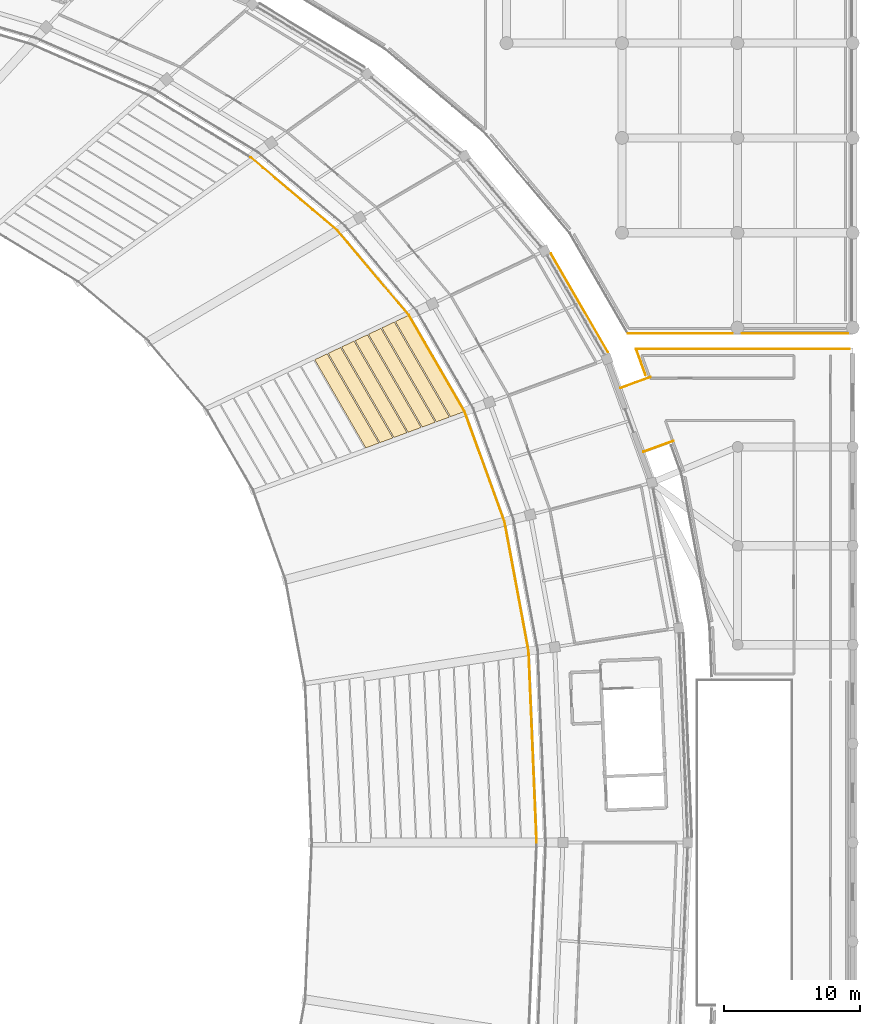
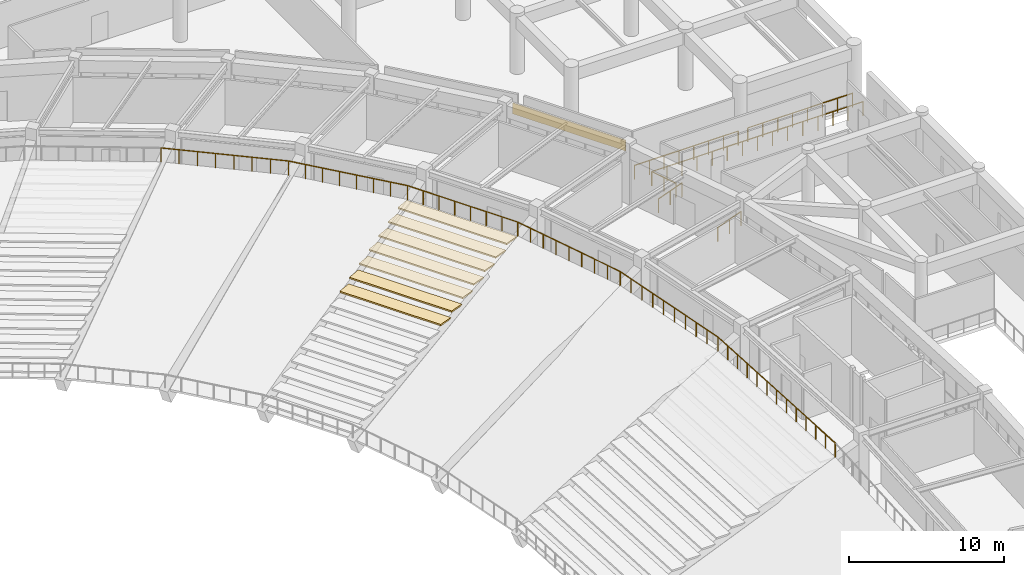
# One storey, part 129 of 137: 8 coverings, 6 railings.
"""IFC4 building model written with IfcOpenShell, lengths in metres."""

from ifc_helpers import new_model, si_unit, direction, frame, origin, origin_2d, place, context, subcontext, project, spatial, polyline, rectangle, circle, outline, extrude, material, layer, layer_set, type_object, element, save


model = new_model("IFC4")

# Units and contexts
model_context = context("Model", 3, precision=1e-05, world=origin(), true_north=direction((0.0, 1.0)))
body_context = subcontext(model_context, "Body", "Model", "MODEL_VIEW")
ifc_project = project(units=[si_unit("LENGTHUNIT", "METRE"), si_unit("AREAUNIT", "SQUARE_METRE"), si_unit("VOLUMEUNIT", "CUBIC_METRE"), si_unit("PLANEANGLEUNIT", "RADIAN"), si_unit("MASSUNIT", "GRAM", prefix="KILO")], contexts=[model_context])

# Site, building, storey
site_placement = place(None, origin())
site = spatial("IfcSite", under=ifc_project, at=site_placement, CompositionType="ELEMENT")
building_placement = place(site_placement, origin())
building = spatial("IfcBuilding", under=site, at=building_placement, Name="Mphavela Belvedere Stadium", CompositionType="ELEMENT")
storey_placement = place(building_placement, frame((0.0, 0.0, 19.199951171875)))
storey = spatial("IfcBuildingStorey", under=building, at=storey_placement, Name="L04", CompositionType="ELEMENT", Elevation=19.199951171875)

# Coverings
ifc_material_1 = material(Name="Carved classical limestone entablature frieze cladding", Category="masonry")
ifc_layer_1 = layer(ifc_material_1, 0.06005859375)
ifc_layer_set_1 = layer_set([ifc_layer_1], Name="Carved classical limestone entablature frieze cladding")
covering_type_1 = type_object("IfcCoveringType", Name="COV-FRIEZE-CLAD", PredefinedType="CLADDING", material=ifc_layer_set_1)
covering_1_placement = place(storey_placement, frame((209.826416015625, 126.83203125, 3.594970703125), z_axis=(0.0, 0.0, 1.0), x_axis=(-0.500604477892, 0.865676126917, 0.0)))
element("IfcCovering", 1, at=covering_1_placement, inside=storey, type_object=covering_type_1, Name="Classical entablature frieze cladding L04-04", PredefinedType="CLADDING", context=body_context, shape_type="SweptSolid", body=[
    extrude(rectangle(XDim=8.4208984375, YDim=0.06005859375, at=origin_2d()), origin(), (0.0, 0.0, 1.0), 0.85009765625),
])
ifc_material_2 = material(Name="Precast seating row terrazzo finish", Category="concrete")
ifc_layer_2 = layer(ifc_material_2, 0.1201171875)
ifc_layer_set_2 = layer_set([ifc_layer_2], Name="Precast seating row terrazzo finish")
covering_type_2 = type_object("IfcCoveringType", Name="COV-SEAT-ROW-U", PredefinedType="FLOORING", material=ifc_layer_set_2)
covering_2_placement = place(storey_placement, frame((0.0, 0.0, 0.330078125)))
element("IfcCovering", 2, at=covering_2_placement, inside=storey, type_object=covering_type_2, Name="Upper stand seating row bench B04-R09", PredefinedType="FLOORING", context=body_context, shape_type="SweptSolid", body=[
    extrude(outline(polyline([(194.056396484375, 116.124755859375), (190.290771484375, 122.6376953125), (191.203369140625, 123.069580078125), (195.014892578125, 116.477783203125), (194.056396484375, 116.124755859375)])), origin(), (0.0, 0.0, 1.0), 0.119873046875),
])
covering_3_placement = place(storey_placement, frame((0.0, 0.0, 0.796630859375)))
element("IfcCovering", 3, at=covering_3_placement, inside=storey, type_object=covering_type_2, Name="Upper stand seating row bench B04-R10", PredefinedType="FLOORING", context=body_context, shape_type="SweptSolid", body=[
    extrude(outline(polyline([(195.09814453125, 116.508544921875), (191.28271484375, 123.107177734375), (192.195556640625, 123.539306640625), (196.056396484375, 116.861572265625), (195.09814453125, 116.508544921875)])), origin(), (0.0, 0.0, 1.0), 0.1201171875),
])
covering_4_placement = place(storey_placement, frame((0.0, 0.0, 1.263427734375)))
element("IfcCovering", 4, at=covering_4_placement, inside=storey, type_object=covering_type_2, Name="Upper stand seating row bench B04-R11", PredefinedType="FLOORING", context=body_context, shape_type="SweptSolid", body=[
    extrude(outline(polyline([(196.139892578125, 116.892333984375), (192.27490234375, 123.576904296875), (193.1875, 124.0087890625), (197.09814453125, 117.245361328125), (196.139892578125, 116.892333984375)])), origin(), (0.0, 0.0, 1.0), 0.119873046875),
])
covering_5_placement = place(storey_placement, frame((0.0, 0.0, 1.72998046875)))
element("IfcCovering", 5, at=covering_5_placement, inside=storey, type_object=covering_type_2, Name="Upper stand seating row bench B04-R12", PredefinedType="FLOORING", context=body_context, shape_type="SweptSolid", body=[
    extrude(outline(polyline([(197.181396484375, 117.276123046875), (193.266845703125, 124.04638671875), (194.179443359375, 124.478271484375), (198.139892578125, 117.629150390625), (197.181396484375, 117.276123046875)])), origin(), (0.0, 0.0, 1.0), 0.1201171875),
])
covering_6_placement = place(storey_placement, frame((0.0, 0.0, 2.19677734375)))
element("IfcCovering", 6, at=covering_6_placement, inside=storey, type_object=covering_type_2, Name="Upper stand seating row bench B04-R13", PredefinedType="FLOORING", context=body_context, shape_type="SweptSolid", body=[
    extrude(outline(polyline([(198.22314453125, 117.659912109375), (194.2587890625, 124.515869140625), (195.171630859375, 124.947998046875), (199.181396484375, 118.012939453125), (198.22314453125, 117.659912109375)])), origin(), (0.0, 0.0, 1.0), 0.119873046875),
])
covering_7_placement = place(storey_placement, frame((0.0, 0.0, 2.663330078125)))
element("IfcCovering", 7, at=covering_7_placement, inside=storey, type_object=covering_type_2, Name="Upper stand seating row bench B04-R14", PredefinedType="FLOORING", context=body_context, shape_type="SweptSolid", body=[
    extrude(outline(polyline([(199.264892578125, 118.043701171875), (195.2509765625, 124.985595703125), (196.16357421875, 125.41748046875), (200.22314453125, 118.396484375), (199.264892578125, 118.043701171875)])), origin(), (0.0, 0.0, 1.0), 0.1201171875),
])
covering_8_placement = place(storey_placement, frame((0.0, 0.0, 3.130126953125)))
element("IfcCovering", 8, at=covering_8_placement, inside=storey, type_object=covering_type_2, Name="Upper stand seating row bench B04-R15", PredefinedType="FLOORING", context=body_context, shape_type="SweptSolid", body=[
    extrude(outline(polyline([(200.306396484375, 118.42724609375), (196.242919921875, 125.455078125), (197.15576171875, 125.886962890625), (201.264892578125, 118.780517578125), (200.306396484375, 118.42724609375)])), origin(), (0.0, 0.0, 1.0), 0.119873046875),
])

# Railings
ifc_material_3 = material(Name="Bronze and laminated glass stadium balustrade", Category="glass")
railing_type = type_object("IfcRailingType", Name="RAL-BALUSTRADE-1120", PredefinedType="BALUSTRADE", material=ifc_material_3)
railing_1_placement = place(storey_placement, frame((214.55078125, 115.840576171875, 0.0)))
element("IfcRailing", 9, at=railing_1_placement, inside=storey, type_object=railing_type, Name="Colonnade link bridge balustrade L04-03A", PredefinedType="BALUSTRADE", context=body_context, shape_type="SweptSolid", body=[
    extrude(circle(Radius=0.02392578125, at=origin_2d()), frame((0.0, 0.0, 1.09619140625), z_axis=(0.940078218368, 0.340958858734, 0.0), x_axis=(-0.340958858734, 0.940078218368, 0.0)), (0.0, 0.0, 1.0), 2.35009765625),
    extrude(circle(Radius=0.02099609375, at=origin_2d()), origin(), (0.0, 0.0, 1.0), 1.072021484375),
    extrude(circle(Radius=0.02099609375, at=origin_2d()), frame((1.1044921875, 0.400634765625, 0.0)), (0.0, 0.0, 1.0), 1.072021484375),
    extrude(circle(Radius=0.02099609375, at=origin_2d()), frame((2.209228515625, 0.80126953125, 0.0)), (0.0, 0.0, 1.0), 1.072021484375),
])
railing_2_placement = place(storey_placement, frame((212.845703125, 120.540771484375, 0.0)))
element("IfcRailing", 10, at=railing_2_placement, inside=storey, type_object=railing_type, Name="Colonnade link bridge balustrade L04-03B", PredefinedType="BALUSTRADE", context=body_context, shape_type="SweptSolid", body=[
    extrude(circle(Radius=0.02392578125, at=origin_2d()), frame((0.0, 0.0, 1.09619140625), z_axis=(0.940044916205, 0.341050664151, 0.0), x_axis=(-0.341050664151, 0.940044916205, 0.0)), (0.0, 0.0, 1.0), 2.35009765625),
    extrude(circle(Radius=0.02099609375, at=origin_2d()), origin(), (0.0, 0.0, 1.0), 1.072021484375),
    extrude(circle(Radius=0.02099609375, at=origin_2d()), frame((1.1044921875, 0.40087890625, 0.0)), (0.0, 0.0, 1.0), 1.072021484375),
    extrude(circle(Radius=0.02099609375, at=origin_2d()), frame((2.209228515625, 0.801513671875, 0.0)), (0.0, 0.0, 1.0), 1.072021484375),
])
railing_3_placement = place(storey_placement, frame((206.6650390625, 87.0, 3.25)))
element("IfcRailing", 11, at=railing_3_placement, inside=storey, type_object=railing_type, Name="Bowl safety balustrade t2_rear S1", PredefinedType="BALUSTRADE", context=body_context, shape_type="SweptSolid", body=[
    extrude(circle(Radius=0.02392578125, at=origin_2d()), frame((0.0, 0.0, 1.09619140625), z_axis=(-0.041909223859, 0.999121422529, 0.0), x_axis=(-0.999121422529, -0.041909223859, 0.0)), (0.0, 0.0, 1.0), 14.138427734375),
    extrude(circle(Radius=0.02392578125, at=origin_2d()), frame((-0.592529296875, 14.1259765625, 1.09619140625), z_axis=(-0.182637987413, 0.983180230453, 0.0), x_axis=(-0.983180230453, -0.182637987413, 0.0)), (0.0, 0.0, 1.0), 9.71826171875),
    extrude(circle(Radius=0.02392578125, at=origin_2d()), frame((-2.367431640625, 23.6806640625, 1.09619140625), z_axis=(-0.341024484254, 0.940054413925, 0.0), x_axis=(-0.940054413925, -0.341024484254, 0.0)), (0.0, 0.0, 1.0), 8.64892578125),
    extrude(circle(Radius=0.02392578125, at=origin_2d()), frame((-5.31689453125, 31.81103515625, 1.09619140625), z_axis=(-0.500551313395, 0.865706868783, 0.0), x_axis=(-0.865706868783, -0.500551313395, 0.0)), (0.0, 0.0, 1.0), 8.217041015625),
    extrude(circle(Radius=0.02392578125, at=origin_2d()), frame((-9.429931640625, 38.924560546875, 1.09619140625), z_axis=(-0.645159856171, 0.764047616308, 0.0), x_axis=(-0.764047616308, -0.645159856171, 0.0)), (0.0, 0.0, 1.0), 8.15869140625),
    extrude(circle(Radius=0.02392578125, at=origin_2d()), frame((-14.693603515625, 45.158203125, 1.09619140625), z_axis=(-0.764273082573, 0.644892747093, 0.0), x_axis=(-0.644892747093, -0.764273082573, 0.0)), (0.0, 0.0, 1.0), 8.378662109375),
    extrude(circle(Radius=0.02099609375, at=origin_2d()), origin(), (0.0, 0.0, 1.0), 1.072021484375),
    extrude(circle(Radius=0.02099609375, at=origin_2d()), frame((-0.04931640625, 1.17724609375, 0.0)), (0.0, 0.0, 1.0), 1.072021484375),
    extrude(circle(Radius=0.02099609375, at=origin_2d()), frame((-0.0986328125, 2.354248046875, 0.0)), (0.0, 0.0, 1.0), 1.072021484375),
    extrude(circle(Radius=0.02099609375, at=origin_2d()), frame((-0.148193359375, 3.531494140625, 0.0)), (0.0, 0.0, 1.0), 1.072021484375),
    extrude(circle(Radius=0.02099609375, at=origin_2d()), frame((-0.197509765625, 4.708740234375, 0.0)), (0.0, 0.0, 1.0), 1.072021484375),
    extrude(circle(Radius=0.02099609375, at=origin_2d()), frame((-0.246826171875, 5.8857421875, 0.0)), (0.0, 0.0, 1.0), 1.072021484375),
    extrude(circle(Radius=0.02099609375, at=origin_2d()), frame((-0.29638671875, 7.06298828125, 0.0)), (0.0, 0.0, 1.0), 1.072021484375),
    extrude(circle(Radius=0.02099609375, at=origin_2d()), frame((-0.345703125, 8.240234375, 0.0)), (0.0, 0.0, 1.0), 1.072021484375),
    extrude(circle(Radius=0.02099609375, at=origin_2d()), frame((-0.39501953125, 9.417236328125, 0.0)), (0.0, 0.0, 1.0), 1.072021484375),
    extrude(circle(Radius=0.02099609375, at=origin_2d()), frame((-0.4443359375, 10.594482421875, 0.0)), (0.0, 0.0, 1.0), 1.072021484375),
    extrude(circle(Radius=0.02099609375, at=origin_2d()), frame((-0.49365234375, 11.771728515625, 0.0)), (0.0, 0.0, 1.0), 1.072021484375),
    extrude(circle(Radius=0.02099609375, at=origin_2d()), frame((-0.543212890625, 12.94873046875, 0.0)), (0.0, 0.0, 1.0), 1.072021484375),
    extrude(circle(Radius=0.02099609375, at=origin_2d()), frame((-0.592529296875, 14.1259765625, 0.0)), (0.0, 0.0, 1.0), 1.072021484375),
    extrude(circle(Radius=0.02099609375, at=origin_2d()), frame((-0.789794921875, 15.1875, 0.0)), (0.0, 0.0, 1.0), 1.072021484375),
    extrude(circle(Radius=0.02099609375, at=origin_2d()), frame((-0.987060546875, 16.249267578125, 0.0)), (0.0, 0.0, 1.0), 1.072021484375),
    extrude(circle(Radius=0.02099609375, at=origin_2d()), frame((-1.18408203125, 17.310791015625, 0.0)), (0.0, 0.0, 1.0), 1.072021484375),
    extrude(circle(Radius=0.02099609375, at=origin_2d()), frame((-1.38134765625, 18.37255859375, 0.0)), (0.0, 0.0, 1.0), 1.072021484375),
    extrude(circle(Radius=0.02099609375, at=origin_2d()), frame((-1.57861328125, 19.43408203125, 0.0)), (0.0, 0.0, 1.0), 1.072021484375),
    extrude(circle(Radius=0.02099609375, at=origin_2d()), frame((-1.77587890625, 20.495849609375, 0.0)), (0.0, 0.0, 1.0), 1.072021484375),
    extrude(circle(Radius=0.02099609375, at=origin_2d()), frame((-1.972900390625, 21.557373046875, 0.0)), (0.0, 0.0, 1.0), 1.072021484375),
    extrude(circle(Radius=0.02099609375, at=origin_2d()), frame((-2.170166015625, 22.619140625, 0.0)), (0.0, 0.0, 1.0), 1.072021484375),
    extrude(circle(Radius=0.02099609375, at=origin_2d()), frame((-2.367431640625, 23.6806640625, 0.0)), (0.0, 0.0, 1.0), 1.072021484375),
    extrude(circle(Radius=0.02099609375, at=origin_2d()), frame((-2.736083984375, 24.697021484375, 0.0)), (0.0, 0.0, 1.0), 1.072021484375),
    extrude(circle(Radius=0.02099609375, at=origin_2d()), frame((-3.104736328125, 25.71337890625, 0.0)), (0.0, 0.0, 1.0), 1.072021484375),
    extrude(circle(Radius=0.02099609375, at=origin_2d()), frame((-3.473388671875, 26.7294921875, 0.0)), (0.0, 0.0, 1.0), 1.072021484375),
    extrude(circle(Radius=0.02099609375, at=origin_2d()), frame((-3.84228515625, 27.745849609375, 0.0)), (0.0, 0.0, 1.0), 1.072021484375),
    extrude(circle(Radius=0.02099609375, at=origin_2d()), frame((-4.2109375, 28.76220703125, 0.0)), (0.0, 0.0, 1.0), 1.072021484375),
    extrude(circle(Radius=0.02099609375, at=origin_2d()), frame((-4.57958984375, 29.7783203125, 0.0)), (0.0, 0.0, 1.0), 1.072021484375),
    extrude(circle(Radius=0.02099609375, at=origin_2d()), frame((-4.9482421875, 30.794677734375, 0.0)), (0.0, 0.0, 1.0), 1.072021484375),
    extrude(circle(Radius=0.02099609375, at=origin_2d()), frame((-5.31689453125, 31.81103515625, 0.0)), (0.0, 0.0, 1.0), 1.072021484375),
    extrude(circle(Radius=0.02099609375, at=origin_2d()), frame((-5.904541015625, 32.8271484375, 0.0)), (0.0, 0.0, 1.0), 1.072021484375),
    extrude(circle(Radius=0.02099609375, at=origin_2d()), frame((-6.491943359375, 33.843505859375, 0.0)), (0.0, 0.0, 1.0), 1.072021484375),
    extrude(circle(Radius=0.02099609375, at=origin_2d()), frame((-7.07958984375, 34.859619140625, 0.0)), (0.0, 0.0, 1.0), 1.072021484375),
    extrude(circle(Radius=0.02099609375, at=origin_2d()), frame((-7.667236328125, 35.8759765625, 0.0)), (0.0, 0.0, 1.0), 1.072021484375),
    extrude(circle(Radius=0.02099609375, at=origin_2d()), frame((-8.2548828125, 36.89208984375, 0.0)), (0.0, 0.0, 1.0), 1.072021484375),
    extrude(circle(Radius=0.02099609375, at=origin_2d()), frame((-8.84228515625, 37.908447265625, 0.0)), (0.0, 0.0, 1.0), 1.072021484375),
    extrude(circle(Radius=0.02099609375, at=origin_2d()), frame((-9.429931640625, 38.924560546875, 0.0)), (0.0, 0.0, 1.0), 1.072021484375),
    extrude(circle(Radius=0.02099609375, at=origin_2d()), frame((-10.181884765625, 39.815185546875, 0.0)), (0.0, 0.0, 1.0), 1.072021484375),
    extrude(circle(Radius=0.02099609375, at=origin_2d()), frame((-10.933837890625, 40.70556640625, 0.0)), (0.0, 0.0, 1.0), 1.072021484375),
    extrude(circle(Radius=0.02099609375, at=origin_2d()), frame((-11.685791015625, 41.59619140625, 0.0)), (0.0, 0.0, 1.0), 1.072021484375),
    extrude(circle(Radius=0.02099609375, at=origin_2d()), frame((-12.437744140625, 42.486572265625, 0.0)), (0.0, 0.0, 1.0), 1.072021484375),
    extrude(circle(Radius=0.02099609375, at=origin_2d()), frame((-13.189697265625, 43.377197265625, 0.0)), (0.0, 0.0, 1.0), 1.072021484375),
    extrude(circle(Radius=0.02099609375, at=origin_2d()), frame((-13.941650390625, 44.267578125, 0.0)), (0.0, 0.0, 1.0), 1.072021484375),
    extrude(circle(Radius=0.02099609375, at=origin_2d()), frame((-14.693603515625, 45.158203125, 0.0)), (0.0, 0.0, 1.0), 1.072021484375),
    extrude(circle(Radius=0.02099609375, at=origin_2d()), frame((-15.6083984375, 45.93017578125, 0.0)), (0.0, 0.0, 1.0), 1.072021484375),
    extrude(circle(Radius=0.02099609375, at=origin_2d()), frame((-16.523193359375, 46.701904296875, 0.0)), (0.0, 0.0, 1.0), 1.072021484375),
    extrude(circle(Radius=0.02099609375, at=origin_2d()), frame((-17.43798828125, 47.473876953125, 0.0)), (0.0, 0.0, 1.0), 1.072021484375),
    extrude(circle(Radius=0.02099609375, at=origin_2d()), frame((-18.352783203125, 48.245849609375, 0.0)), (0.0, 0.0, 1.0), 1.072021484375),
    extrude(circle(Radius=0.02099609375, at=origin_2d()), frame((-19.267578125, 49.017822265625, 0.0)), (0.0, 0.0, 1.0), 1.072021484375),
    extrude(circle(Radius=0.02099609375, at=origin_2d()), frame((-20.182373046875, 49.78955078125, 0.0)), (0.0, 0.0, 1.0), 1.072021484375),
    extrude(circle(Radius=0.02099609375, at=origin_2d()), frame((-21.09716796875, 50.5615234375, 0.0)), (0.0, 0.0, 1.0), 1.072021484375),
])
railing_4_placement = place(storey_placement, frame((229.6455078125, 124.580078125, 0.0)))
element("IfcRailing", 12, at=railing_4_placement, inside=storey, type_object=railing_type, Name="Peristyle wing gallery edge balustrade L04-52", PredefinedType="BALUSTRADE", context=body_context, shape_type="SweptSolid", body=[
    extrude(circle(Radius=0.02392578125, at=origin_2d()), frame((0.0, 0.0, 1.09619140625), z_axis=(-1.0, 0.0, 0.0), x_axis=(0.0, -1.0, 0.0)), (0.0, 0.0, 1.0), 7.809814453125),
    extrude(circle(Radius=0.02099609375, at=origin_2d()), origin(), (0.0, 0.0, 1.0), 1.072021484375),
    extrude(circle(Radius=0.02099609375, at=origin_2d()), frame((-1.11572265625, 0.0, 0.0)), (0.0, 0.0, 1.0), 1.072021484375),
    extrude(circle(Radius=0.02099609375, at=origin_2d()), frame((-2.2314453125, 0.0, 0.0)), (0.0, 0.0, 1.0), 1.072021484375),
    extrude(circle(Radius=0.02099609375, at=origin_2d()), frame((-3.34716796875, 0.0, 0.0)), (0.0, 0.0, 1.0), 1.072021484375),
    extrude(circle(Radius=0.02099609375, at=origin_2d()), frame((-4.462646484375, 0.0, 0.0)), (0.0, 0.0, 1.0), 1.072021484375),
    extrude(circle(Radius=0.02099609375, at=origin_2d()), frame((-5.578369140625, 0.0, 0.0)), (0.0, 0.0, 1.0), 1.072021484375),
    extrude(circle(Radius=0.02099609375, at=origin_2d()), frame((-6.694091796875, 0.0, 0.0)), (0.0, 0.0, 1.0), 1.072021484375),
    extrude(circle(Radius=0.02099609375, at=origin_2d()), frame((-7.809814453125, 0.0, 0.0)), (0.0, 0.0, 1.0), 1.072021484375),
])
railing_5_placement = place(storey_placement, frame((221.12646484375, 124.580078125, 0.0)))
element("IfcRailing", 13, at=railing_5_placement, inside=storey, type_object=railing_type, Name="Peristyle wing gallery edge balustrade L04-53", PredefinedType="BALUSTRADE", context=body_context, shape_type="SweptSolid", body=[
    extrude(circle(Radius=0.02392578125, at=origin_2d()), frame((0.0, 0.0, 1.09619140625), z_axis=(-1.0, 0.0, 0.0), x_axis=(0.0, -1.0, 0.0)), (0.0, 0.0, 1.0), 7.73388671875),
    extrude(circle(Radius=0.02099609375, at=origin_2d()), origin(), (0.0, 0.0, 1.0), 1.072021484375),
    extrude(circle(Radius=0.02099609375, at=origin_2d()), frame((-1.104736328125, 0.0, 0.0)), (0.0, 0.0, 1.0), 1.072021484375),
    extrude(circle(Radius=0.02099609375, at=origin_2d()), frame((-2.209716796875, 0.0, 0.0)), (0.0, 0.0, 1.0), 1.072021484375),
    extrude(circle(Radius=0.02099609375, at=origin_2d()), frame((-3.314453125, 0.0, 0.0)), (0.0, 0.0, 1.0), 1.072021484375),
    extrude(circle(Radius=0.02099609375, at=origin_2d()), frame((-4.41943359375, 0.0, 0.0)), (0.0, 0.0, 1.0), 1.072021484375),
    extrude(circle(Radius=0.02099609375, at=origin_2d()), frame((-5.524169921875, 0.0, 0.0)), (0.0, 0.0, 1.0), 1.072021484375),
    extrude(circle(Radius=0.02099609375, at=origin_2d()), frame((-6.629150390625, 0.0, 0.0)), (0.0, 0.0, 1.0), 1.072021484375),
    extrude(circle(Radius=0.02099609375, at=origin_2d()), frame((-7.73388671875, 0.0, 0.0)), (0.0, 0.0, 1.0), 1.072021484375),
])
railing_6_placement = place(storey_placement, frame((214.705322265625, 121.51318359375, 0.0)))
element("IfcRailing", 14, at=railing_6_placement, inside=storey, type_object=railing_type, Name="Peristyle wing gallery edge balustrade L04-63", PredefinedType="BALUSTRADE", context=body_context, shape_type="SweptSolid", body=[
    extrude(circle(Radius=0.02392578125, at=origin_2d()), frame((0.0, 0.0, 1.09619140625), z_axis=(-0.342380499121, 0.939561383743, 0.0), x_axis=(-0.939561383743, -0.342380499121, 0.0)), (0.0, 0.0, 1.0), 2.029296875),
    extrude(circle(Radius=0.02392578125, at=origin_2d()), frame((-0.69482421875, 1.90673828125, 1.09619140625), z_axis=(1.0, 0.0, 0.0), x_axis=(0.0, 1.0, 0.0)), (0.0, 0.0, 1.0), 15.756103515625),
    extrude(circle(Radius=0.02099609375, at=origin_2d()), origin(), (0.0, 0.0, 1.0), 1.072021484375),
    extrude(circle(Radius=0.02099609375, at=origin_2d()), frame((-0.347412109375, 0.953369140625, 0.0)), (0.0, 0.0, 1.0), 1.072021484375),
    extrude(circle(Radius=0.02099609375, at=origin_2d()), frame((-0.69482421875, 1.90673828125, 0.0)), (0.0, 0.0, 1.0), 1.072021484375),
    extrude(circle(Radius=0.02099609375, at=origin_2d()), frame((0.4306640625, 1.90673828125, 0.0)), (0.0, 0.0, 1.0), 1.072021484375),
    extrude(circle(Radius=0.02099609375, at=origin_2d()), frame((1.55615234375, 1.90673828125, 0.0)), (0.0, 0.0, 1.0), 1.072021484375),
    extrude(circle(Radius=0.02099609375, at=origin_2d()), frame((2.681396484375, 1.90673828125, 0.0)), (0.0, 0.0, 1.0), 1.072021484375),
    extrude(circle(Radius=0.02099609375, at=origin_2d()), frame((3.806884765625, 1.90673828125, 0.0)), (0.0, 0.0, 1.0), 1.072021484375),
    extrude(circle(Radius=0.02099609375, at=origin_2d()), frame((4.932373046875, 1.90673828125, 0.0)), (0.0, 0.0, 1.0), 1.072021484375),
    extrude(circle(Radius=0.02099609375, at=origin_2d()), frame((6.057861328125, 1.90673828125, 0.0)), (0.0, 0.0, 1.0), 1.072021484375),
    extrude(circle(Radius=0.02099609375, at=origin_2d()), frame((7.18310546875, 1.90673828125, 0.0)), (0.0, 0.0, 1.0), 1.072021484375),
    extrude(circle(Radius=0.02099609375, at=origin_2d()), frame((8.30859375, 1.90673828125, 0.0)), (0.0, 0.0, 1.0), 1.072021484375),
    extrude(circle(Radius=0.02099609375, at=origin_2d()), frame((9.43408203125, 1.90673828125, 0.0)), (0.0, 0.0, 1.0), 1.072021484375),
    extrude(circle(Radius=0.02099609375, at=origin_2d()), frame((10.5595703125, 1.90673828125, 0.0)), (0.0, 0.0, 1.0), 1.072021484375),
    extrude(circle(Radius=0.02099609375, at=origin_2d()), frame((11.68505859375, 1.90673828125, 0.0)), (0.0, 0.0, 1.0), 1.072021484375),
    extrude(circle(Radius=0.02099609375, at=origin_2d()), frame((12.810302734375, 1.90673828125, 0.0)), (0.0, 0.0, 1.0), 1.072021484375),
    extrude(circle(Radius=0.02099609375, at=origin_2d()), frame((13.935791015625, 1.90673828125, 0.0)), (0.0, 0.0, 1.0), 1.072021484375),
    extrude(circle(Radius=0.02099609375, at=origin_2d()), frame((15.061279296875, 1.90673828125, 0.0)), (0.0, 0.0, 1.0), 1.072021484375),
])

save(model, "model.ifc")
